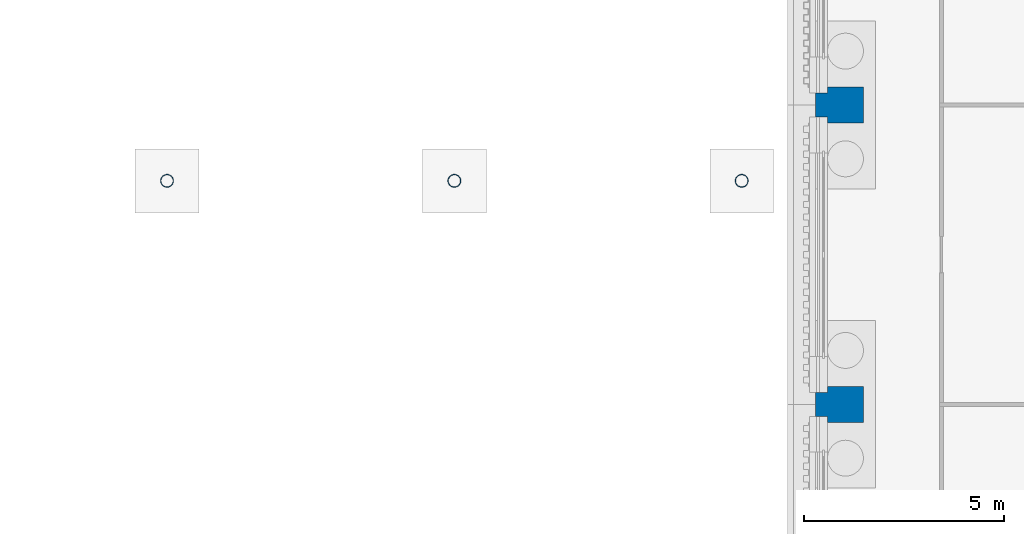
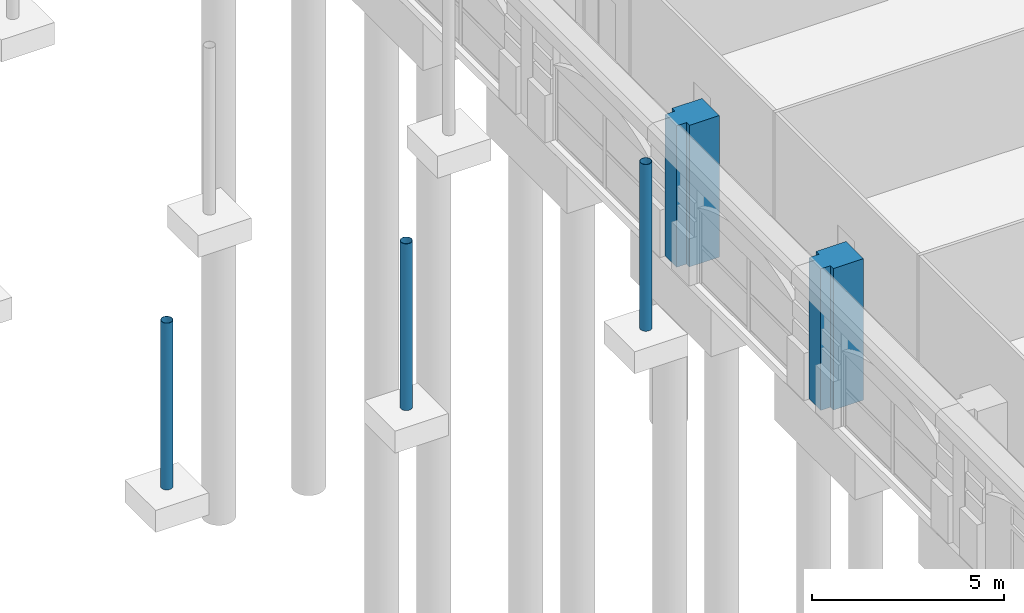
# One storey, part 15 of 99: 5 columns.
"""IFC4 building model written with IfcOpenShell, lengths in metres."""

from ifc_helpers import new_model, si_unit, direction, frame, origin, origin_2d, place, context, subcontext, project, spatial, polyline, hollow_circle, outline, extrude, material, material_profile, profile_set, type_object, element, save


model = new_model("IFC4")

# Units and contexts
model_context = context("Model", 3, precision=1e-05, world=origin(), true_north=direction((0.0, 1.0)))
body_context = subcontext(model_context, "Body", "Model", "MODEL_VIEW")
ifc_project = project(units=[si_unit("LENGTHUNIT", "METRE"), si_unit("AREAUNIT", "SQUARE_METRE"), si_unit("VOLUMEUNIT", "CUBIC_METRE"), si_unit("PLANEANGLEUNIT", "RADIAN"), si_unit("MASSUNIT", "GRAM", prefix="KILO")], contexts=[model_context])

# Site, building, storey
site_placement = place(None, origin())
site = spatial("IfcSite", under=ifc_project, at=site_placement, CompositionType="ELEMENT")
building_placement = place(site_placement, origin())
building = spatial("IfcBuilding", under=site, at=building_placement, Name="Cour d'Honneur Mobility Palace", CompositionType="ELEMENT")
storey_placement = place(building_placement, origin())
storey = spatial("IfcBuildingStorey", under=building, at=storey_placement, Name="L00", CompositionType="ELEMENT", Elevation=0.0)

# Columns
ifc_material_1 = material(Name="Steel S355", Category="steel")
ifc_material_profile_1 = material_profile(ifc_material_1, hollow_circle(Radius=0.161865234375, WallThickness=0.010009765625, at=origin_2d()), Name="CHS 323.9x10")
ifc_profile_set_1 = profile_set([ifc_material_profile_1], Name="Steel S355")
column_type_1 = type_object("IfcColumnType", Name="Canopy column CHS 323.9x10", PredefinedType="COLUMN", material=ifc_profile_set_1)
for number, where, z_axis, x_axis, name in (
    (1, (127.89990234375, 90.5, -0.300048828125), (0.0, 0.0, 1.0), (1.0, 0.0, 0.0), "Canopy column FCC-E1.4"),
    (2, (135.10009765625, 90.5, -0.300048828125), (0.0, 0.0, 1.0), (1.0, 0.0, 0.0), "Canopy column FCC-E1.5"),
    (3, (142.300048828125, 90.5, -0.300048828125), (0.0, 0.0, 1.0), (1.0, 0.0, 0.0), "Canopy column FCC-E1.6"),
):
    element("IfcColumn", number, at=place(storey_placement, frame(where, z_axis=z_axis, x_axis=x_axis)), inside=storey, type_object=column_type_1, Name=name, PredefinedType="COLUMN", context=body_context, shape_type="SweptSolid", body=[
        extrude(hollow_circle(Radius=0.161865234375, WallThickness=0.010009765625, at=origin_2d()), origin(), (0.0, 0.0, 1.0), 5.300048828125),
    ])
ifc_material_2 = material(Name="Concrete C50", Category="concrete")
ifc_material_profile_2 = material_profile(ifc_material_2, outline(polyline([(-0.449951171875, -0.449951171875), (0.449951171875, -0.449951171875), (0.449951171875, -0.300048828125), (0.75, -0.300048828125), (0.75, 0.300048828125), (0.449951171875, 0.300048828125), (0.449951171875, 0.449951171875), (-0.449951171875, 0.449951171875), (-0.449951171875, -0.449951171875)])), Name="PC C900 pilaster")
ifc_profile_set_2 = profile_set([ifc_material_profile_2], Name="Concrete C50")
column_type_2 = type_object("IfcColumnType", Name="Precast Column 900 pilaster", PredefinedType="COLUMN", material=ifc_profile_set_2)
for number, where, z_axis, x_axis, name in (
    (4, (144.89990234375, 84.89990234375, 0.0), (0.0, 0.0, 1.0), (-1.0, 0.0, 0.0), "Precast column C3 19/L L00"),
    (5, (144.89990234375, 92.39990234375, 0.0), (0.0, 0.0, 1.0), (-1.0, 0.0, 0.0), "Precast column C3 19/M L00"),
):
    element("IfcColumn", number, at=place(storey_placement, frame(where, z_axis=z_axis, x_axis=x_axis)), inside=storey, type_object=column_type_2, Name=name, PredefinedType="COLUMN", context=body_context, shape_type="SweptSolid", body=[
        extrude(outline(polyline([(-0.449951171875, -0.449951171875), (0.449951171875, -0.449951171875), (0.449951171875, -0.300048828125), (0.75, -0.300048828125), (0.75, 0.300048828125), (0.449951171875, 0.300048828125), (0.449951171875, 0.449951171875), (-0.449951171875, 0.449951171875), (-0.449951171875, -0.449951171875)])), origin(), (0.0, 0.0, 1.0), 4.5),
    ])

save(model, "model.ifc")
